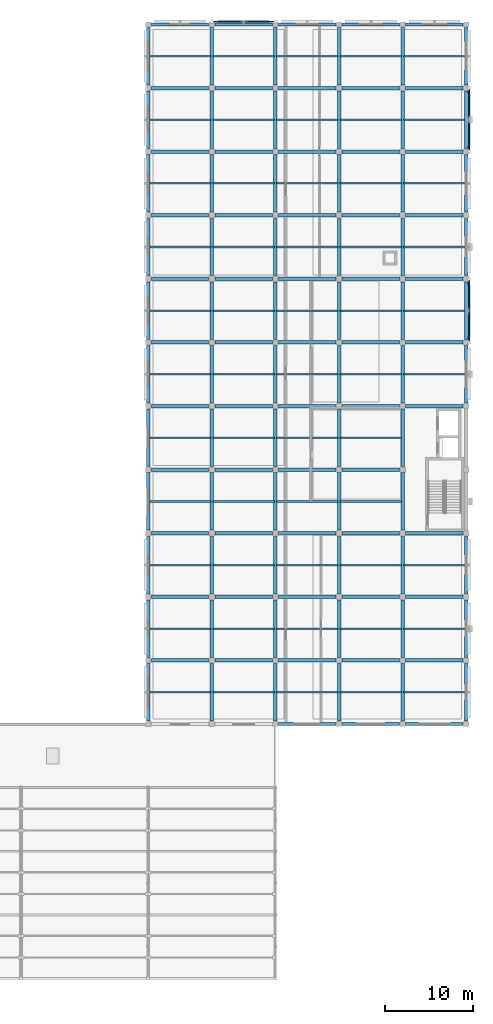
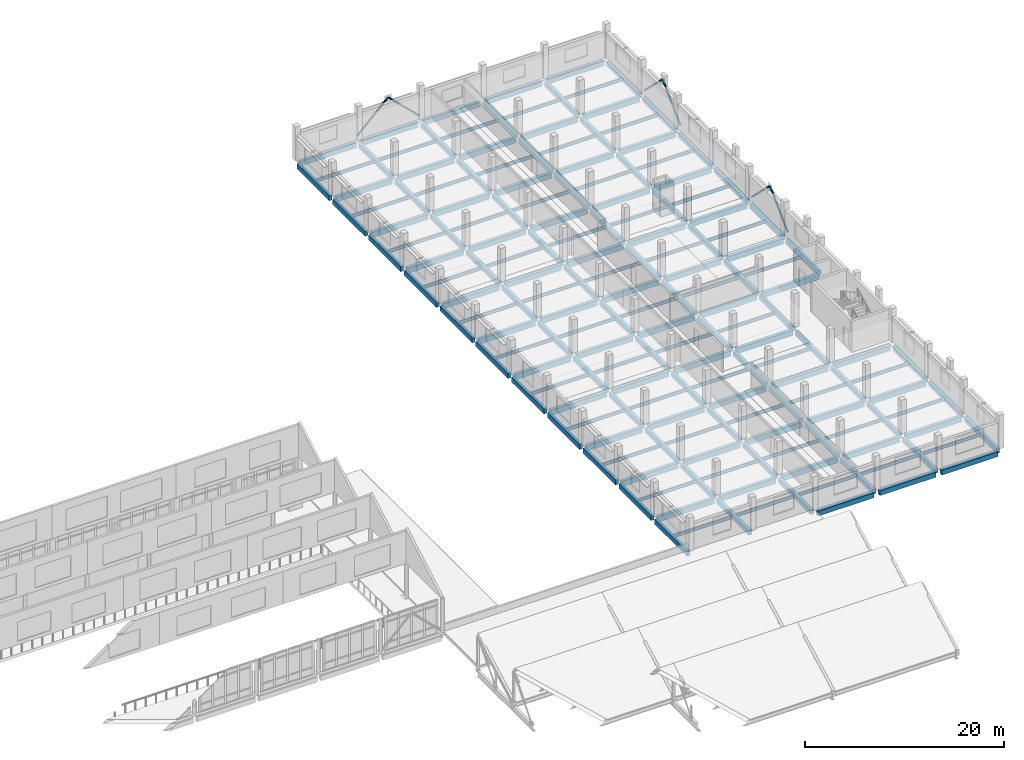
# One storey, part 27 of 62: 174 beams, 6 members.
"""IFC4 building model written with IfcOpenShell, lengths in metres."""

from ifc_helpers import new_model, si_unit, direction, frame, origin, origin_2d, place, context, subcontext, project, spatial, rectangle, hollow_circle, i_section, extrude, material, material_profile, profile_set, type_object, element, save


model = new_model("IFC4")

# Units and contexts
model_context = context("Model", 3, precision=1e-05, world=origin(), true_north=direction((0.0, 1.0)))
body_context = subcontext(model_context, "Body", "Model", "MODEL_VIEW")
ifc_project = project(units=[si_unit("LENGTHUNIT", "METRE"), si_unit("AREAUNIT", "SQUARE_METRE"), si_unit("VOLUMEUNIT", "CUBIC_METRE"), si_unit("PLANEANGLEUNIT", "RADIAN"), si_unit("MASSUNIT", "GRAM", prefix="KILO")], contexts=[model_context])

# Site, building, storey
site_placement = place(None, origin())
site = spatial("IfcSite", under=ifc_project, at=site_placement, CompositionType="ELEMENT")
building_placement = place(site_placement, origin())
building = spatial("IfcBuilding", under=site, at=building_placement, Name="Valkovuoma Quantum and Materials Research Institute", CompositionType="ELEMENT")
storey_placement = place(building_placement, frame((0.0, 0.0, 13.1201171875)))
storey = spatial("IfcBuildingStorey", under=building, at=storey_placement, Name="L03", CompositionType="ELEMENT", Elevation=13.1201171875)

# Beams
ifc_material_1 = material(Name="Steel S355J2", Category="steel")
ifc_material_profile_1 = material_profile(ifc_material_1, i_section(OverallWidth=0.179931640625, OverallDepth=0.39990234375, WebThickness=0.008544921875, FlangeThickness=0.013427734375, FilletRadius=0.02099609375, at=origin_2d()), Name="Steel S355J2")
ifc_profile_set_1 = profile_set([ifc_material_profile_1], Name="Steel S355J2")
beam_type_1 = type_object("IfcBeamType", Name="Beam-B-JST400", PredefinedType="JOIST", material=ifc_profile_set_1)
for number, where, z_axis, x_axis, name in (
    (1, (129.719970703125, 39.60009765625, -0.550048828125), (1.0, 0.0, 0.0), (0.0, 1.0, 0.0), "L03 floor joist 1707"),
    (2, (136.919921875, 39.60009765625, -0.550048828125), (1.0, 0.0, 0.0), (0.0, 1.0, 0.0), "L03 floor joist 1708"),
    (3, (144.1201171875, 39.60009765625, -0.550048828125), (1.0, 0.0, 0.0), (0.0, 1.0, 0.0), "L03 floor joist 1709"),
    (4, (151.320068359375, 39.60009765625, -0.550048828125), (1.0, 0.0, 0.0), (0.0, 1.0, 0.0), "L03 floor joist 1710"),
    (5, (158.52001953125, 39.60009765625, -0.550048828125), (1.0, 0.0, 0.0), (0.0, 1.0, 0.0), "L03 floor joist 1711"),
    (6, (129.719970703125, 46.800048828125, -0.550048828125), (1.0, 0.0, 0.0), (0.0, 1.0, 0.0), "L03 floor joist 1717"),
    (7, (136.919921875, 46.800048828125, -0.550048828125), (1.0, 0.0, 0.0), (0.0, 1.0, 0.0), "L03 floor joist 1718"),
    (8, (144.1201171875, 46.800048828125, -0.550048828125), (1.0, 0.0, 0.0), (0.0, 1.0, 0.0), "L03 floor joist 1719"),
    (9, (151.320068359375, 46.800048828125, -0.550048828125), (1.0, 0.0, 0.0), (0.0, 1.0, 0.0), "L03 floor joist 1720"),
    (10, (158.52001953125, 46.800048828125, -0.550048828125), (1.0, 0.0, 0.0), (0.0, 1.0, 0.0), "L03 floor joist 1721"),
    (11, (129.719970703125, 54.0, -0.550048828125), (1.0, 0.0, 0.0), (0.0, 1.0, 0.0), "L03 floor joist 1727"),
    (12, (136.919921875, 54.0, -0.550048828125), (1.0, 0.0, 0.0), (0.0, 1.0, 0.0), "L03 floor joist 1728"),
    (13, (144.1201171875, 54.0, -0.550048828125), (1.0, 0.0, 0.0), (0.0, 1.0, 0.0), "L03 floor joist 1729"),
    (14, (151.320068359375, 54.0, -0.550048828125), (1.0, 0.0, 0.0), (0.0, 1.0, 0.0), "L03 floor joist 1730"),
    (15, (158.52001953125, 54.0, -0.550048828125), (1.0, 0.0, 0.0), (0.0, 1.0, 0.0), "L03 floor joist 1731"),
    (16, (129.719970703125, 61.199951171875, -0.550048828125), (1.0, 0.0, 0.0), (0.0, 1.0, 0.0), "L03 floor joist 1746"),
    (17, (136.919921875, 61.199951171875, -0.550048828125), (1.0, 0.0, 0.0), (0.0, 1.0, 0.0), "L03 floor joist 1747"),
    (18, (144.1201171875, 61.199951171875, -0.550048828125), (1.0, 0.0, 0.0), (0.0, 1.0, 0.0), "L03 floor joist 1748"),
    (19, (151.320068359375, 61.199951171875, -0.550048828125), (1.0, 0.0, 0.0), (0.0, 1.0, 0.0), "L03 floor joist 1749"),
    (20, (129.719970703125, 68.39990234375, -0.550048828125), (1.0, 0.0, 0.0), (0.0, 1.0, 0.0), "L03 floor joist 1755"),
    (21, (136.919921875, 68.39990234375, -0.550048828125), (1.0, 0.0, 0.0), (0.0, 1.0, 0.0), "L03 floor joist 1756"),
    (22, (144.1201171875, 68.39990234375, -0.550048828125), (1.0, 0.0, 0.0), (0.0, 1.0, 0.0), "L03 floor joist 1757"),
    (23, (151.320068359375, 68.39990234375, -0.550048828125), (1.0, 0.0, 0.0), (0.0, 1.0, 0.0), "L03 floor joist 1758"),
    (24, (129.719970703125, 75.60009765625, -0.550048828125), (1.0, 0.0, 0.0), (0.0, 1.0, 0.0), "L03 floor joist 1762"),
    (25, (136.919921875, 75.60009765625, -0.550048828125), (1.0, 0.0, 0.0), (0.0, 1.0, 0.0), "L03 floor joist 1763"),
    (26, (144.1201171875, 75.60009765625, -0.550048828125), (1.0, 0.0, 0.0), (0.0, 1.0, 0.0), "L03 floor joist 1764"),
    (27, (151.320068359375, 75.60009765625, -0.550048828125), (1.0, 0.0, 0.0), (0.0, 1.0, 0.0), "L03 floor joist 1765"),
    (28, (158.52001953125, 75.60009765625, -0.550048828125), (1.0, 0.0, 0.0), (0.0, 1.0, 0.0), "L03 floor joist 1766"),
    (29, (129.719970703125, 82.800048828125, -0.550048828125), (1.0, 0.0, 0.0), (0.0, 1.0, 0.0), "L03 floor joist 1772"),
    (30, (136.919921875, 82.800048828125, -0.550048828125), (1.0, 0.0, 0.0), (0.0, 1.0, 0.0), "L03 floor joist 1773"),
    (31, (144.1201171875, 82.800048828125, -0.550048828125), (1.0, 0.0, 0.0), (0.0, 1.0, 0.0), "L03 floor joist 1774"),
    (32, (151.320068359375, 82.800048828125, -0.550048828125), (1.0, 0.0, 0.0), (0.0, 1.0, 0.0), "L03 floor joist 1775"),
    (33, (158.52001953125, 82.800048828125, -0.550048828125), (1.0, 0.0, 0.0), (0.0, 1.0, 0.0), "L03 floor joist 1776"),
    (34, (129.719970703125, 90.0, -0.550048828125), (1.0, 0.0, 0.0), (0.0, 1.0, 0.0), "L03 floor joist 1784"),
    (35, (136.919921875, 90.0, -0.550048828125), (1.0, 0.0, 0.0), (0.0, 1.0, 0.0), "L03 floor joist 1785"),
    (36, (144.1201171875, 90.0, -0.550048828125), (1.0, 0.0, 0.0), (0.0, 1.0, 0.0), "L03 floor joist 1786"),
    (37, (151.320068359375, 90.0, -0.550048828125), (1.0, 0.0, 0.0), (0.0, 1.0, 0.0), "L03 floor joist 1787"),
    (38, (158.52001953125, 90.0, -0.550048828125), (1.0, 0.0, 0.0), (0.0, 1.0, 0.0), "L03 floor joist 1788"),
    (39, (129.719970703125, 97.199951171875, -0.550048828125), (1.0, 0.0, 0.0), (0.0, 1.0, 0.0), "L03 floor joist 1794"),
    (40, (136.919921875, 97.199951171875, -0.550048828125), (1.0, 0.0, 0.0), (0.0, 1.0, 0.0), "L03 floor joist 1795"),
    (41, (144.1201171875, 97.199951171875, -0.550048828125), (1.0, 0.0, 0.0), (0.0, 1.0, 0.0), "L03 floor joist 1796"),
    (42, (151.320068359375, 97.199951171875, -0.550048828125), (1.0, 0.0, 0.0), (0.0, 1.0, 0.0), "L03 floor joist 1797"),
    (43, (158.52001953125, 97.199951171875, -0.550048828125), (1.0, 0.0, 0.0), (0.0, 1.0, 0.0), "L03 floor joist 1798"),
    (44, (129.719970703125, 104.39990234375, -0.550048828125), (1.0, 0.0, 0.0), (0.0, 1.0, 0.0), "L03 floor joist 1804"),
    (45, (136.919921875, 104.39990234375, -0.550048828125), (1.0, 0.0, 0.0), (0.0, 1.0, 0.0), "L03 floor joist 1805"),
    (46, (144.1201171875, 104.39990234375, -0.550048828125), (1.0, 0.0, 0.0), (0.0, 1.0, 0.0), "L03 floor joist 1806"),
    (47, (151.320068359375, 104.39990234375, -0.550048828125), (1.0, 0.0, 0.0), (0.0, 1.0, 0.0), "L03 floor joist 1807"),
    (48, (158.52001953125, 104.39990234375, -0.550048828125), (1.0, 0.0, 0.0), (0.0, 1.0, 0.0), "L03 floor joist 1808"),
    (49, (129.719970703125, 111.60009765625, -0.550048828125), (1.0, 0.0, 0.0), (0.0, 1.0, 0.0), "L03 floor joist 1809"),
    (50, (136.919921875, 111.60009765625, -0.550048828125), (1.0, 0.0, 0.0), (0.0, 1.0, 0.0), "L03 floor joist 1810"),
    (51, (144.1201171875, 111.60009765625, -0.550048828125), (1.0, 0.0, 0.0), (0.0, 1.0, 0.0), "L03 floor joist 1811"),
    (52, (151.320068359375, 111.60009765625, -0.550048828125), (1.0, 0.0, 0.0), (0.0, 1.0, 0.0), "L03 floor joist 1812"),
    (53, (158.52001953125, 111.60009765625, -0.550048828125), (1.0, 0.0, 0.0), (0.0, 1.0, 0.0), "L03 floor joist 1813"),
):
    element("IfcBeam", number, at=place(storey_placement, frame(where, z_axis=z_axis, x_axis=x_axis)), inside=storey, type_object=beam_type_1, Name=name, PredefinedType="JOIST", context=body_context, shape_type="SweptSolid", body=[
        extrude(i_section(OverallWidth=0.179931640625, OverallDepth=0.39990234375, WebThickness=0.008544921875, FlangeThickness=0.013427734375, FilletRadius=0.02099609375, at=origin_2d()), origin(), (0.0, 0.0, 1.0), 6.9599609375),
    ])
ifc_material_2 = material(Name="Concrete C40/50", Category="concrete")
ifc_material_profile_2 = material_profile(ifc_material_2, rectangle(XDim=0.39990234375, YDim=0.550048828125, at=origin_2d()), Name="Concrete C40/50")
ifc_profile_set_2 = profile_set([ifc_material_profile_2], Name="Concrete C40/50")
beam_type_2 = type_object("IfcBeamType", Name="Beam-B-RC550", PredefinedType="BEAM", material=ifc_profile_set_2)
for number, where, z_axis, x_axis, name in (
    (54, (136.800048828125, 36.35009765625, -0.625), (0.0, 1.0, 0.0), (-1.0, 0.0, 0.0), "L03 beam Y-1649"),
    (55, (136.800048828125, 43.550048828125, -0.625), (0.0, 1.0, 0.0), (-1.0, 0.0, 0.0), "L03 beam Y-1650"),
    (56, (136.800048828125, 50.75, -0.625), (0.0, 1.0, 0.0), (-1.0, 0.0, 0.0), "L03 beam Y-1651"),
    (57, (136.800048828125, 57.949951171875, -0.625), (0.0, 1.0, 0.0), (-1.0, 0.0, 0.0), "L03 beam Y-1652"),
    (58, (136.800048828125, 65.14990234375, -0.625), (0.0, 1.0, 0.0), (-1.0, 0.0, 0.0), "L03 beam Y-1653"),
    (59, (136.800048828125, 72.35009765625, -0.625), (0.0, 1.0, 0.0), (-1.0, 0.0, 0.0), "L03 beam Y-1654"),
    (60, (136.800048828125, 79.550048828125, -0.625), (0.0, 1.0, 0.0), (-1.0, 0.0, 0.0), "L03 beam Y-1655"),
    (61, (136.800048828125, 86.75, -0.625), (0.0, 1.0, 0.0), (-1.0, 0.0, 0.0), "L03 beam Y-1656"),
    (62, (136.800048828125, 93.949951171875, -0.625), (0.0, 1.0, 0.0), (-1.0, 0.0, 0.0), "L03 beam Y-1657"),
    (63, (136.800048828125, 101.14990234375, -0.625), (0.0, 1.0, 0.0), (-1.0, 0.0, 0.0), "L03 beam Y-1658"),
    (64, (136.800048828125, 108.35009765625, -0.625), (0.0, 1.0, 0.0), (-1.0, 0.0, 0.0), "L03 beam Y-1659"),
    (65, (144.0, 36.35009765625, -0.625), (0.0, 1.0, 0.0), (-1.0, 0.0, 0.0), "L03 beam Y-1660"),
    (66, (144.0, 43.550048828125, -0.625), (0.0, 1.0, 0.0), (-1.0, 0.0, 0.0), "L03 beam Y-1661"),
    (67, (144.0, 50.75, -0.625), (0.0, 1.0, 0.0), (-1.0, 0.0, 0.0), "L03 beam Y-1662"),
    (68, (144.0, 57.949951171875, -0.625), (0.0, 1.0, 0.0), (-1.0, 0.0, 0.0), "L03 beam Y-1663"),
    (69, (144.0, 65.14990234375, -0.625), (0.0, 1.0, 0.0), (-1.0, 0.0, 0.0), "L03 beam Y-1664"),
    (70, (144.0, 72.35009765625, -0.625), (0.0, 1.0, 0.0), (-1.0, 0.0, 0.0), "L03 beam Y-1665"),
    (71, (144.0, 79.550048828125, -0.625), (0.0, 1.0, 0.0), (-1.0, 0.0, 0.0), "L03 beam Y-1666"),
    (72, (144.0, 86.75, -0.625), (0.0, 1.0, 0.0), (-1.0, 0.0, 0.0), "L03 beam Y-1667"),
    (73, (144.0, 93.949951171875, -0.625), (0.0, 1.0, 0.0), (-1.0, 0.0, 0.0), "L03 beam Y-1668"),
    (74, (144.0, 101.14990234375, -0.625), (0.0, 1.0, 0.0), (-1.0, 0.0, 0.0), "L03 beam Y-1669"),
    (75, (144.0, 108.35009765625, -0.625), (0.0, 1.0, 0.0), (-1.0, 0.0, 0.0), "L03 beam Y-1670"),
    (76, (151.199951171875, 36.35009765625, -0.625), (0.0, 1.0, 0.0), (-1.0, 0.0, 0.0), "L03 beam Y-1671"),
    (77, (151.199951171875, 43.550048828125, -0.625), (0.0, 1.0, 0.0), (-1.0, 0.0, 0.0), "L03 beam Y-1672"),
    (78, (151.199951171875, 50.75, -0.625), (0.0, 1.0, 0.0), (-1.0, 0.0, 0.0), "L03 beam Y-1673"),
    (79, (151.199951171875, 57.949951171875, -0.625), (0.0, 1.0, 0.0), (-1.0, 0.0, 0.0), "L03 beam Y-1674"),
    (80, (151.199951171875, 65.14990234375, -0.625), (0.0, 1.0, 0.0), (-1.0, 0.0, 0.0), "L03 beam Y-1675"),
    (81, (151.199951171875, 72.35009765625, -0.625), (0.0, 1.0, 0.0), (-1.0, 0.0, 0.0), "L03 beam Y-1676"),
    (82, (151.199951171875, 79.550048828125, -0.625), (0.0, 1.0, 0.0), (-1.0, 0.0, 0.0), "L03 beam Y-1677"),
    (83, (151.199951171875, 86.75, -0.625), (0.0, 1.0, 0.0), (-1.0, 0.0, 0.0), "L03 beam Y-1678"),
    (84, (151.199951171875, 93.949951171875, -0.625), (0.0, 1.0, 0.0), (-1.0, 0.0, 0.0), "L03 beam Y-1679"),
    (85, (151.199951171875, 101.14990234375, -0.625), (0.0, 1.0, 0.0), (-1.0, 0.0, 0.0), "L03 beam Y-1680"),
    (86, (151.199951171875, 108.35009765625, -0.625), (0.0, 1.0, 0.0), (-1.0, 0.0, 0.0), "L03 beam Y-1681"),
    (87, (158.39990234375, 36.35009765625, -0.625), (0.0, 1.0, 0.0), (-1.0, 0.0, 0.0), "L03 beam Y-1682"),
    (88, (158.39990234375, 43.550048828125, -0.625), (0.0, 1.0, 0.0), (-1.0, 0.0, 0.0), "L03 beam Y-1683"),
    (89, (158.39990234375, 50.75, -0.625), (0.0, 1.0, 0.0), (-1.0, 0.0, 0.0), "L03 beam Y-1684"),
    (90, (158.39990234375, 57.949951171875, -0.625), (0.0, 1.0, 0.0), (-1.0, 0.0, 0.0), "L03 beam Y-1685"),
    (91, (158.39990234375, 65.14990234375, -0.625), (0.0, 1.0, 0.0), (-1.0, 0.0, 0.0), "L03 beam Y-1686"),
    (92, (158.39990234375, 72.35009765625, -0.625), (0.0, 1.0, 0.0), (-1.0, 0.0, 0.0), "L03 beam Y-1687"),
    (93, (158.39990234375, 79.550048828125, -0.625), (0.0, 1.0, 0.0), (-1.0, 0.0, 0.0), "L03 beam Y-1688"),
    (94, (158.39990234375, 86.75, -0.625), (0.0, 1.0, 0.0), (-1.0, 0.0, 0.0), "L03 beam Y-1689"),
    (95, (158.39990234375, 93.949951171875, -0.625), (0.0, 1.0, 0.0), (-1.0, 0.0, 0.0), "L03 beam Y-1690"),
    (96, (158.39990234375, 101.14990234375, -0.625), (0.0, 1.0, 0.0), (-1.0, 0.0, 0.0), "L03 beam Y-1691"),
    (97, (158.39990234375, 108.35009765625, -0.625), (0.0, 1.0, 0.0), (-1.0, 0.0, 0.0), "L03 beam Y-1692"),
):
    element("IfcBeam", number, at=place(storey_placement, frame(where, z_axis=z_axis, x_axis=x_axis)), inside=storey, type_object=beam_type_2, Name=name, PredefinedType="BEAM", context=body_context, shape_type="SweptSolid", body=[
        extrude(rectangle(XDim=0.39990234375, YDim=0.550048828125, at=origin_2d()), origin(), (0.0, 0.0, 1.0), 6.5),
    ])
ifc_material_3 = material(Name="Concrete C40/50", Category="concrete")
ifc_material_profile_3 = material_profile(ifc_material_3, rectangle(XDim=0.39990234375, YDim=0.64990234375, at=origin_2d()), Name="Concrete C40/50")
ifc_profile_set_3 = profile_set([ifc_material_profile_3], Name="Concrete C40/50")
beam_type_3 = type_object("IfcBeamType", Name="Beam-B-RC650", PredefinedType="BEAM", material=ifc_profile_set_3)
for number, where, z_axis, x_axis, name in (
    (98, (129.949951171875, 43.199951171875, -0.675048828125), (1.0, 0.0, 0.0), (0.0, 1.0, 0.0), "L03 beam X-1449"),
    (99, (137.14990234375, 43.199951171875, -0.675048828125), (1.0, 0.0, 0.0), (0.0, 1.0, 0.0), "L03 beam X-1450"),
    (100, (144.35009765625, 43.199951171875, -0.675048828125), (1.0, 0.0, 0.0), (0.0, 1.0, 0.0), "L03 beam X-1451"),
    (101, (151.550048828125, 43.199951171875, -0.675048828125), (1.0, 0.0, 0.0), (0.0, 1.0, 0.0), "L03 beam X-1452"),
    (102, (158.75, 43.199951171875, -0.675048828125), (1.0, 0.0, 0.0), (0.0, 1.0, 0.0), "L03 beam X-1453"),
    (103, (129.949951171875, 50.39990234375, -0.675048828125), (1.0, 0.0, 0.0), (0.0, 1.0, 0.0), "L03 beam X-1459"),
    (104, (137.14990234375, 50.39990234375, -0.675048828125), (1.0, 0.0, 0.0), (0.0, 1.0, 0.0), "L03 beam X-1460"),
    (105, (144.35009765625, 50.39990234375, -0.675048828125), (1.0, 0.0, 0.0), (0.0, 1.0, 0.0), "L03 beam X-1461"),
    (106, (151.550048828125, 50.39990234375, -0.675048828125), (1.0, 0.0, 0.0), (0.0, 1.0, 0.0), "L03 beam X-1462"),
    (107, (158.75, 50.39990234375, -0.675048828125), (1.0, 0.0, 0.0), (0.0, 1.0, 0.0), "L03 beam X-1463"),
    (108, (129.949951171875, 57.60009765625, -0.675048828125), (1.0, 0.0, 0.0), (0.0, 1.0, 0.0), "L03 beam X-1478"),
    (109, (137.14990234375, 57.60009765625, -0.675048828125), (1.0, 0.0, 0.0), (0.0, 1.0, 0.0), "L03 beam X-1479"),
    (110, (144.35009765625, 57.60009765625, -0.675048828125), (1.0, 0.0, 0.0), (0.0, 1.0, 0.0), "L03 beam X-1480"),
    (111, (151.550048828125, 57.60009765625, -0.675048828125), (1.0, 0.0, 0.0), (0.0, 1.0, 0.0), "L03 beam X-1481"),
    (112, (158.75, 57.60009765625, -0.675048828125), (1.0, 0.0, 0.0), (0.0, 1.0, 0.0), "L03 beam X-1482"),
    (113, (129.949951171875, 64.800048828125, -0.675048828125), (1.0, 0.0, 0.0), (0.0, 1.0, 0.0), "L03 beam X-1497"),
    (114, (137.14990234375, 64.800048828125, -0.675048828125), (1.0, 0.0, 0.0), (0.0, 1.0, 0.0), "L03 beam X-1498"),
    (115, (144.35009765625, 64.800048828125, -0.675048828125), (1.0, 0.0, 0.0), (0.0, 1.0, 0.0), "L03 beam X-1499"),
    (116, (151.550048828125, 64.800048828125, -0.675048828125), (1.0, 0.0, 0.0), (0.0, 1.0, 0.0), "L03 beam X-1500"),
    (117, (129.949951171875, 72.0, -0.675048828125), (1.0, 0.0, 0.0), (0.0, 1.0, 0.0), "L03 beam X-1506"),
    (118, (137.14990234375, 72.0, -0.675048828125), (1.0, 0.0, 0.0), (0.0, 1.0, 0.0), "L03 beam X-1507"),
    (119, (144.35009765625, 72.0, -0.675048828125), (1.0, 0.0, 0.0), (0.0, 1.0, 0.0), "L03 beam X-1508"),
    (120, (151.550048828125, 72.0, -0.675048828125), (1.0, 0.0, 0.0), (0.0, 1.0, 0.0), "L03 beam X-1509"),
    (121, (158.75, 72.0, -0.675048828125), (1.0, 0.0, 0.0), (0.0, 1.0, 0.0), "L03 beam X-1510"),
    (122, (129.949951171875, 79.199951171875, -0.675048828125), (1.0, 0.0, 0.0), (0.0, 1.0, 0.0), "L03 beam X-1516"),
    (123, (137.14990234375, 79.199951171875, -0.675048828125), (1.0, 0.0, 0.0), (0.0, 1.0, 0.0), "L03 beam X-1517"),
    (124, (144.35009765625, 79.199951171875, -0.675048828125), (1.0, 0.0, 0.0), (0.0, 1.0, 0.0), "L03 beam X-1518"),
    (125, (151.550048828125, 79.199951171875, -0.675048828125), (1.0, 0.0, 0.0), (0.0, 1.0, 0.0), "L03 beam X-1519"),
    (126, (158.75, 79.199951171875, -0.675048828125), (1.0, 0.0, 0.0), (0.0, 1.0, 0.0), "L03 beam X-1520"),
    (127, (129.949951171875, 86.39990234375, -0.675048828125), (1.0, 0.0, 0.0), (0.0, 1.0, 0.0), "L03 beam X-1528"),
    (128, (137.14990234375, 86.39990234375, -0.675048828125), (1.0, 0.0, 0.0), (0.0, 1.0, 0.0), "L03 beam X-1529"),
    (129, (144.35009765625, 86.39990234375, -0.675048828125), (1.0, 0.0, 0.0), (0.0, 1.0, 0.0), "L03 beam X-1530"),
    (130, (151.550048828125, 86.39990234375, -0.675048828125), (1.0, 0.0, 0.0), (0.0, 1.0, 0.0), "L03 beam X-1531"),
    (131, (158.75, 86.39990234375, -0.675048828125), (1.0, 0.0, 0.0), (0.0, 1.0, 0.0), "L03 beam X-1532"),
    (132, (129.949951171875, 93.60009765625, -0.675048828125), (1.0, 0.0, 0.0), (0.0, 1.0, 0.0), "L03 beam X-1540"),
    (133, (137.14990234375, 93.60009765625, -0.675048828125), (1.0, 0.0, 0.0), (0.0, 1.0, 0.0), "L03 beam X-1541"),
    (134, (144.35009765625, 93.60009765625, -0.675048828125), (1.0, 0.0, 0.0), (0.0, 1.0, 0.0), "L03 beam X-1542"),
    (135, (151.550048828125, 93.60009765625, -0.675048828125), (1.0, 0.0, 0.0), (0.0, 1.0, 0.0), "L03 beam X-1543"),
    (136, (158.75, 93.60009765625, -0.675048828125), (1.0, 0.0, 0.0), (0.0, 1.0, 0.0), "L03 beam X-1544"),
    (137, (129.949951171875, 100.800048828125, -0.675048828125), (1.0, 0.0, 0.0), (0.0, 1.0, 0.0), "L03 beam X-1550"),
    (138, (137.14990234375, 100.800048828125, -0.675048828125), (1.0, 0.0, 0.0), (0.0, 1.0, 0.0), "L03 beam X-1551"),
    (139, (144.35009765625, 100.800048828125, -0.675048828125), (1.0, 0.0, 0.0), (0.0, 1.0, 0.0), "L03 beam X-1552"),
    (140, (151.550048828125, 100.800048828125, -0.675048828125), (1.0, 0.0, 0.0), (0.0, 1.0, 0.0), "L03 beam X-1553"),
    (141, (158.75, 100.800048828125, -0.675048828125), (1.0, 0.0, 0.0), (0.0, 1.0, 0.0), "L03 beam X-1554"),
    (142, (129.949951171875, 108.0, -0.675048828125), (1.0, 0.0, 0.0), (0.0, 1.0, 0.0), "L03 beam X-1560"),
    (143, (137.14990234375, 108.0, -0.675048828125), (1.0, 0.0, 0.0), (0.0, 1.0, 0.0), "L03 beam X-1561"),
    (144, (144.35009765625, 108.0, -0.675048828125), (1.0, 0.0, 0.0), (0.0, 1.0, 0.0), "L03 beam X-1562"),
    (145, (151.550048828125, 108.0, -0.675048828125), (1.0, 0.0, 0.0), (0.0, 1.0, 0.0), "L03 beam X-1563"),
    (146, (158.75, 108.0, -0.675048828125), (1.0, 0.0, 0.0), (0.0, 1.0, 0.0), "L03 beam X-1564"),
):
    element("IfcBeam", number, at=place(storey_placement, frame(where, z_axis=z_axis, x_axis=x_axis)), inside=storey, type_object=beam_type_3, Name=name, PredefinedType="BEAM", context=body_context, shape_type="SweptSolid", body=[
        extrude(rectangle(XDim=0.39990234375, YDim=0.64990234375, at=origin_2d()), origin(), (0.0, 0.0, 1.0), 6.5),
    ])
ifc_material_4 = material(Name="Concrete C40/50", Category="concrete")
ifc_material_profile_4 = material_profile(ifc_material_4, rectangle(XDim=0.35009765625, YDim=0.60009765625, at=origin_2d()), Name="Concrete C40/50")
ifc_profile_set_4 = profile_set([ifc_material_profile_4], Name="Concrete C40/50")
beam_type_4 = type_object("IfcBeamType", Name="Beam-B-SPN600", PredefinedType="SPANDREL", material=ifc_profile_set_4)
for number, where, z_axis, x_axis, name in (
    (147, (144.35009765625, 36.0, -0.650146484375), (1.0, 0.0, 0.0), (0.0, 1.0, 0.0), "L03 beam X-1440"),
    (148, (151.550048828125, 36.0, -0.650146484375), (1.0, 0.0, 0.0), (0.0, 1.0, 0.0), "L03 beam X-1441"),
    (149, (158.75, 36.0, -0.650146484375), (1.0, 0.0, 0.0), (0.0, 1.0, 0.0), "L03 beam X-1442"),
    (150, (129.949951171875, 115.199951171875, -0.650146484375), (1.0, 0.0, 0.0), (0.0, 1.0, 0.0), "L03 beam X-1565"),
    (151, (137.14990234375, 115.199951171875, -0.650146484375), (1.0, 0.0, 0.0), (0.0, 1.0, 0.0), "L03 beam X-1566"),
    (152, (144.35009765625, 115.199951171875, -0.650146484375), (1.0, 0.0, 0.0), (0.0, 1.0, 0.0), "L03 beam X-1567"),
    (153, (151.550048828125, 115.199951171875, -0.650146484375), (1.0, 0.0, 0.0), (0.0, 1.0, 0.0), "L03 beam X-1568"),
    (154, (158.75, 115.199951171875, -0.650146484375), (1.0, 0.0, 0.0), (0.0, 1.0, 0.0), "L03 beam X-1569"),
    (155, (129.60009765625, 36.35009765625, -0.650146484375), (0.0, 1.0, 0.0), (-1.0, 0.0, 0.0), "L03 beam Y-1638"),
    (156, (129.60009765625, 43.550048828125, -0.650146484375), (0.0, 1.0, 0.0), (-1.0, 0.0, 0.0), "L03 beam Y-1639"),
    (157, (129.60009765625, 50.75, -0.650146484375), (0.0, 1.0, 0.0), (-1.0, 0.0, 0.0), "L03 beam Y-1640"),
    (158, (129.60009765625, 57.949951171875, -0.650146484375), (0.0, 1.0, 0.0), (-1.0, 0.0, 0.0), "L03 beam Y-1641"),
    (159, (129.60009765625, 65.14990234375, -0.650146484375), (0.0, 1.0, 0.0), (-1.0, 0.0, 0.0), "L03 beam Y-1642"),
    (160, (129.60009765625, 72.35009765625, -0.650146484375), (0.0, 1.0, 0.0), (-1.0, 0.0, 0.0), "L03 beam Y-1643"),
    (161, (129.60009765625, 79.550048828125, -0.650146484375), (0.0, 1.0, 0.0), (-1.0, 0.0, 0.0), "L03 beam Y-1644"),
    (162, (129.60009765625, 86.75, -0.650146484375), (0.0, 1.0, 0.0), (-1.0, 0.0, 0.0), "L03 beam Y-1645"),
    (163, (129.60009765625, 93.949951171875, -0.650146484375), (0.0, 1.0, 0.0), (-1.0, 0.0, 0.0), "L03 beam Y-1646"),
    (164, (129.60009765625, 101.14990234375, -0.650146484375), (0.0, 1.0, 0.0), (-1.0, 0.0, 0.0), "L03 beam Y-1647"),
    (165, (129.60009765625, 108.35009765625, -0.650146484375), (0.0, 1.0, 0.0), (-1.0, 0.0, 0.0), "L03 beam Y-1648"),
    (166, (165.60009765625, 36.35009765625, -0.650146484375), (0.0, 1.0, 0.0), (-1.0, 0.0, 0.0), "L03 beam Y-1693"),
    (167, (165.60009765625, 43.550048828125, -0.650146484375), (0.0, 1.0, 0.0), (-1.0, 0.0, 0.0), "L03 beam Y-1694"),
    (168, (165.60009765625, 50.75, -0.650146484375), (0.0, 1.0, 0.0), (-1.0, 0.0, 0.0), "L03 beam Y-1695"),
    (169, (165.60009765625, 72.35009765625, -0.650146484375), (0.0, 1.0, 0.0), (-1.0, 0.0, 0.0), "L03 beam Y-1696"),
    (170, (165.60009765625, 79.550048828125, -0.650146484375), (0.0, 1.0, 0.0), (-1.0, 0.0, 0.0), "L03 beam Y-1697"),
    (171, (165.60009765625, 86.75, -0.650146484375), (0.0, 1.0, 0.0), (-1.0, 0.0, 0.0), "L03 beam Y-1698"),
    (172, (165.60009765625, 93.949951171875, -0.650146484375), (0.0, 1.0, 0.0), (-1.0, 0.0, 0.0), "L03 beam Y-1699"),
    (173, (165.60009765625, 101.14990234375, -0.650146484375), (0.0, 1.0, 0.0), (-1.0, 0.0, 0.0), "L03 beam Y-1700"),
    (174, (165.60009765625, 108.35009765625, -0.650146484375), (0.0, 1.0, 0.0), (-1.0, 0.0, 0.0), "L03 beam Y-1701"),
):
    element("IfcBeam", number, at=place(storey_placement, frame(where, z_axis=z_axis, x_axis=x_axis)), inside=storey, type_object=beam_type_4, Name=name, PredefinedType="SPANDREL", context=body_context, shape_type="SweptSolid", body=[
        extrude(rectangle(XDim=0.35009765625, YDim=0.60009765625, at=origin_2d()), origin(), (0.0, 0.0, 1.0), 6.5),
    ])

# Members
ifc_material_5 = material(Name="Steel S355J2H", Category="steel")
ifc_material_profile_5 = material_profile(ifc_material_5, hollow_circle(Radius=0.109619140625, WallThickness=0.010009765625, at=origin_2d()), Name="Steel S355J2H")
ifc_profile_set_5 = profile_set([ifc_material_profile_5], Name="Steel S355J2H")
member_type = type_object("IfcMemberType", Name="Mem-M-BRC219", PredefinedType="BRACE", material=ifc_profile_set_5)
member_1_placement = place(storey_placement, frame((165.89990234375, 79.199951171875, 0.099853515625), z_axis=(0.0, 0.716008634166, 0.698091423668), x_axis=(-1.0, 0.0, 0.0)))
element("IfcMember", 175, at=member_1_placement, inside=storey, type_object=member_type, Name="L03 chevron wind brace 11A", PredefinedType="BRACE", context=body_context, shape_type="SweptSolid", body=[
    extrude(hollow_circle(Radius=0.109619140625, WallThickness=0.010009765625, at=origin_2d()), origin(), (0.0, 0.0, 1.0), 5.028076171875),
])
for number, where, z_axis, x_axis, name in (
    (176, (165.89990234375, 86.39990234375, 0.099853515625), (0.0, -0.715984969996, 0.69811569438), (1.0, 0.0, 0.0), "L03 chevron wind brace 11B"),
    (177, (165.89990234375, 100.800048828125, 0.099853515625), (0.0, 0.715984969996, 0.69811569438), (-1.0, 0.0, 0.0), "L03 chevron wind brace 17A"),
):
    element("IfcMember", number, at=place(storey_placement, frame(where, z_axis=z_axis, x_axis=x_axis)), inside=storey, type_object=member_type, Name=name, PredefinedType="BRACE", context=body_context, shape_type="SweptSolid", body=[
        extrude(hollow_circle(Radius=0.109619140625, WallThickness=0.010009765625, at=origin_2d()), origin(), (0.0, 0.0, 1.0), 5.02783203125),
    ])
member_2_placement = place(storey_placement, frame((165.89990234375, 108.0, 0.099853515625), z_axis=(0.0, -0.716008634166, 0.698091423668), x_axis=(1.0, 0.0, 0.0)))
element("IfcMember", 178, at=member_2_placement, inside=storey, type_object=member_type, Name="L03 chevron wind brace 17B", PredefinedType="BRACE", context=body_context, shape_type="SweptSolid", body=[
    extrude(hollow_circle(Radius=0.109619140625, WallThickness=0.010009765625, at=origin_2d()), origin(), (0.0, 0.0, 1.0), 5.028076171875),
])
member_3_placement = place(storey_placement, frame((136.800048828125, 115.5, 0.099853515625), z_axis=(0.715984969996, 0.0, 0.69811569438), x_axis=(0.0, 1.0, 0.0)))
element("IfcMember", 179, at=member_3_placement, inside=storey, type_object=member_type, Name="L03 chevron wind brace 23A", PredefinedType="BRACE", context=body_context, shape_type="SweptSolid", body=[
    extrude(hollow_circle(Radius=0.109619140625, WallThickness=0.010009765625, at=origin_2d()), origin(), (0.0, 0.0, 1.0), 5.02783203125),
])
member_4_placement = place(storey_placement, frame((144.0, 115.5, 0.099853515625), z_axis=(-0.716008634166, 0.0, 0.698091423668), x_axis=(0.0, -1.0, 0.0)))
element("IfcMember", 180, at=member_4_placement, inside=storey, type_object=member_type, Name="L03 chevron wind brace 23B", PredefinedType="BRACE", context=body_context, shape_type="SweptSolid", body=[
    extrude(hollow_circle(Radius=0.109619140625, WallThickness=0.010009765625, at=origin_2d()), origin(), (0.0, 0.0, 1.0), 5.028076171875),
])

save(model, "model.ifc")
